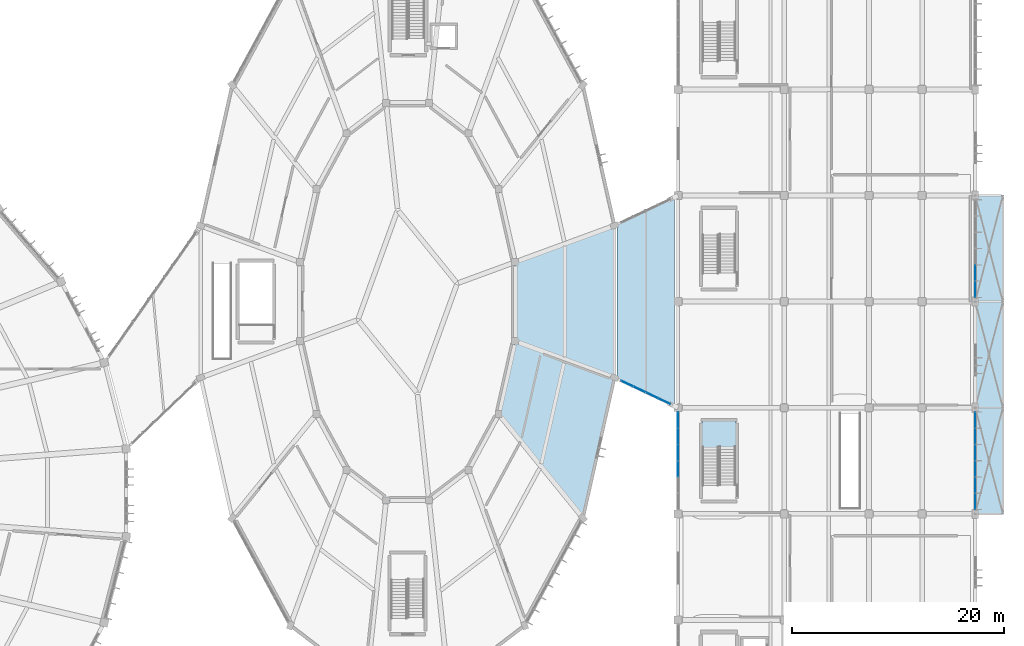
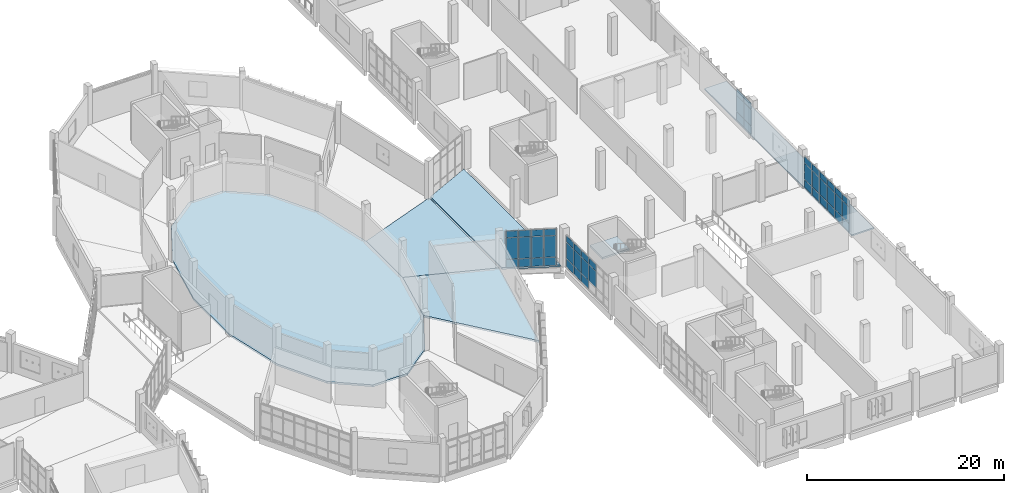
# One storey, part 102 of 179: 47 plates, 6 slabs, 5 elements without a shape of their own.
"""IFC4 building model written with IfcOpenShell, lengths in metres."""

from ifc_helpers import new_model, si_unit, direction, frame, origin, origin_2d, place, context, subcontext, project, spatial, polyline, rectangle, outline, extrude, material, layer, layer_set, type_object, element, aggregate, save


model = new_model("IFC4")

# Units and contexts
model_context = context("Model", 3, precision=1e-05, world=origin(), true_north=direction((0.0, 1.0)))
body_context = subcontext(model_context, "Body", "Model", "MODEL_VIEW")
ifc_project = project(units=[si_unit("LENGTHUNIT", "METRE"), si_unit("AREAUNIT", "SQUARE_METRE"), si_unit("VOLUMEUNIT", "CUBIC_METRE"), si_unit("PLANEANGLEUNIT", "RADIAN"), si_unit("MASSUNIT", "GRAM", prefix="KILO")], contexts=[model_context])

# Site, building, storey
site_placement = place(None, origin())
site = spatial("IfcSite", under=ifc_project, at=site_placement, CompositionType="ELEMENT")
building_placement = place(site_placement, origin())
building = spatial("IfcBuilding", under=site, at=building_placement, Name="Corvandel Quay Wholesale Market", CompositionType="ELEMENT")
storey_placement = place(building_placement, frame((0.0, 0.0, 6.0)))
storey = spatial("IfcBuildingStorey", under=building, at=storey_placement, Name="L01", CompositionType="ELEMENT", Elevation=6.0)

# Curtain wall, plates
ifc_material_1 = material(Name="Bronze anodised aluminium and low-E insulated glazing", Category="aluminium")
ifc_layer_1 = layer(ifc_material_1, 0.162109375)
ifc_layer_set_1 = layer_set([ifc_layer_1], Name="Bronze anodised aluminium and low-E insulated glazing")
curtain_wall_type_1 = type_object("IfcCurtainWallType", Name="Stick Curtain Wall System CW16 H4440", PredefinedType="NOTDEFINED", material=ifc_layer_set_1)
curtain_wall_1_placement = place(storey_placement, origin())
curtain_wall_1 = element("IfcCurtainWall", 1, at=curtain_wall_1_placement, inside=storey, type_object=curtain_wall_type_1, Name="Curtain Wall CW-0151", PredefinedType="NOTDEFINED")
ifc_material_2 = material(Name="Solar-control low-E insulated glazing", Category="glass")
ifc_layer_2 = layer(ifc_material_2, 0.0400390625)
ifc_layer_set_2 = layer_set([ifc_layer_2], Name="Solar-control low-E insulated glazing")
plate_type_1 = type_object("IfcPlateType", Name="Ceramic Fritted Spandrel Panel PN03 40mm", PredefinedType="CURTAIN_PANEL", material=ifc_layer_set_2)
plate_1_placement = place(storey_placement, frame((248.0, 41.166748046875, 3.1298828125), z_axis=(0.0, 0.0, 1.0), x_axis=(0.0, 1.0, 0.0)))
plate_1 = element("IfcPlate", 2, at=plate_1_placement, type_object=plate_type_1, Name="Glazing Panel CW-0151-P00-2", PredefinedType="CURTAIN_PANEL", context=body_context, shape_type="SweptSolid", body=[
    extrude(rectangle(XDim=1.46826171875, YDim=0.0400390625, at=origin_2d()), origin(), (0.0, 0.0, 1.0), 0.7900390625),
])
plate_2_placement = place(storey_placement, frame((248.0, 42.699951171875, 3.1298828125), z_axis=(0.0, 0.0, 1.0), x_axis=(0.0, 1.0, 0.0)))
plate_2 = element("IfcPlate", 3, at=plate_2_placement, type_object=plate_type_1, Name="Glazing Panel CW-0151-P01-2", PredefinedType="CURTAIN_PANEL", context=body_context, shape_type="SweptSolid", body=[
    extrude(rectangle(XDim=1.46826171875, YDim=0.0400390625, at=origin_2d()), origin(), (0.0, 0.0, 1.0), 0.7900390625),
])
plate_3_placement = place(storey_placement, frame((248.0, 44.2333984375, 3.1298828125), z_axis=(0.0, 0.0, 1.0), x_axis=(0.0, 1.0, 0.0)))
plate_3 = element("IfcPlate", 4, at=plate_3_placement, type_object=plate_type_1, Name="Glazing Panel CW-0151-P02-2", PredefinedType="CURTAIN_PANEL", context=body_context, shape_type="SweptSolid", body=[
    extrude(rectangle(XDim=1.46826171875, YDim=0.0400390625, at=origin_2d()), origin(), (0.0, 0.0, 1.0), 0.7900390625),
])
plate_4_placement = place(storey_placement, frame((248.0, 45.7666015625, 3.1298828125), z_axis=(0.0, 0.0, 1.0), x_axis=(0.0, 1.0, 0.0)))
plate_4 = element("IfcPlate", 5, at=plate_4_placement, type_object=plate_type_1, Name="Glazing Panel CW-0151-P03-2", PredefinedType="CURTAIN_PANEL", context=body_context, shape_type="SweptSolid", body=[
    extrude(rectangle(XDim=1.46826171875, YDim=0.0400390625, at=origin_2d()), origin(), (0.0, 0.0, 1.0), 0.7900390625),
])
plate_5_placement = place(storey_placement, frame((248.0, 47.300048828125, 3.1298828125), z_axis=(0.0, 0.0, 1.0), x_axis=(0.0, 1.0, 0.0)))
plate_5 = element("IfcPlate", 6, at=plate_5_placement, type_object=plate_type_1, Name="Glazing Panel CW-0151-P04-2", PredefinedType="CURTAIN_PANEL", context=body_context, shape_type="SweptSolid", body=[
    extrude(rectangle(XDim=1.46826171875, YDim=0.0400390625, at=origin_2d()), origin(), (0.0, 0.0, 1.0), 0.7900390625),
])
plate_6_placement = place(storey_placement, frame((248.0, 48.833251953125, 3.1298828125), z_axis=(0.0, 0.0, 1.0), x_axis=(0.0, 1.0, 0.0)))
plate_6 = element("IfcPlate", 7, at=plate_6_placement, type_object=plate_type_1, Name="Glazing Panel CW-0151-P05-2", PredefinedType="CURTAIN_PANEL", context=body_context, shape_type="SweptSolid", body=[
    extrude(rectangle(XDim=1.46826171875, YDim=0.0400390625, at=origin_2d()), origin(), (0.0, 0.0, 1.0), 0.7900390625),
])

ifc_layer_3 = layer(ifc_material_1, 0.174072265625)
ifc_layer_set_3 = layer_set([ifc_layer_3], Name="Bronze anodised aluminium and low-E insulated glazing")
curtain_wall_type_2 = type_object("IfcCurtainWallType", Name="Stick Curtain Wall System CW22 H4980", PredefinedType="NOTDEFINED", material=ifc_layer_set_3)
curtain_wall_2_placement = place(storey_placement, origin())
curtain_wall_2 = element("IfcCurtainWall", 8, at=curtain_wall_2_placement, inside=storey, type_object=curtain_wall_type_2, Name="Curtain Wall CW-0152", PredefinedType="NOTDEFINED")
plate_7_placement = place(storey_placement, frame((220.0, 44.2333984375, 3.1298828125), z_axis=(0.0, 0.0, 1.0), x_axis=(0.0, 1.0, 0.0)))
plate_7 = element("IfcPlate", 9, at=plate_7_placement, type_object=plate_type_1, Name="Glazing Panel CW-0152-P02-2", PredefinedType="CURTAIN_PANEL", context=body_context, shape_type="SweptSolid", body=[
    extrude(rectangle(XDim=1.46826171875, YDim=0.0400390625, at=origin_2d()), origin(), (0.0, 0.0, 1.0), 0.7900390625),
])
plate_8_placement = place(storey_placement, frame((220.0, 45.7666015625, 3.1298828125), z_axis=(0.0, 0.0, 1.0), x_axis=(0.0, 1.0, 0.0)))
plate_8 = element("IfcPlate", 10, at=plate_8_placement, type_object=plate_type_1, Name="Glazing Panel CW-0152-P03-2", PredefinedType="CURTAIN_PANEL", context=body_context, shape_type="SweptSolid", body=[
    extrude(rectangle(XDim=1.46826171875, YDim=0.0400390625, at=origin_2d()), origin(), (0.0, 0.0, 1.0), 0.7900390625),
])
plate_9_placement = place(storey_placement, frame((220.0, 47.300048828125, 3.1298828125), z_axis=(0.0, 0.0, 1.0), x_axis=(0.0, 1.0, 0.0)))
plate_9 = element("IfcPlate", 11, at=plate_9_placement, type_object=plate_type_1, Name="Glazing Panel CW-0152-P04-2", PredefinedType="CURTAIN_PANEL", context=body_context, shape_type="SweptSolid", body=[
    extrude(rectangle(XDim=1.46826171875, YDim=0.0400390625, at=origin_2d()), origin(), (0.0, 0.0, 1.0), 0.7900390625),
])
plate_10_placement = place(storey_placement, frame((220.0, 48.833251953125, 3.1298828125), z_axis=(0.0, 0.0, 1.0), x_axis=(0.0, 1.0, 0.0)))
plate_10 = element("IfcPlate", 12, at=plate_10_placement, type_object=plate_type_1, Name="Glazing Panel CW-0152-P05-2", PredefinedType="CURTAIN_PANEL", context=body_context, shape_type="SweptSolid", body=[
    extrude(rectangle(XDim=1.46826171875, YDim=0.0400390625, at=origin_2d()), origin(), (0.0, 0.0, 1.0), 0.7900390625),
])

ifc_layer_4 = layer(ifc_material_1, 0.18603515625)
ifc_layer_set_4 = layer_set([ifc_layer_4], Name="Bronze anodised aluminium and low-E insulated glazing")
curtain_wall_type_3 = type_object("IfcCurtainWallType", Name="Stick Curtain Wall System CW18 H4620", PredefinedType="NOTDEFINED", material=ifc_layer_set_4)
curtain_wall_3_placement = place(storey_placement, origin())
curtain_wall_3 = element("IfcCurtainWall", 13, at=curtain_wall_3_placement, inside=storey, type_object=curtain_wall_type_3, Name="Curtain Wall CW-0153", PredefinedType="NOTDEFINED")
plate_11_placement = place(storey_placement, frame((248.0, 61.166748046875, 3.1298828125), z_axis=(0.0, 0.0, 1.0), x_axis=(0.0, 1.0, 0.0)))
plate_11 = element("IfcPlate", 14, at=plate_11_placement, type_object=plate_type_1, Name="Glazing Panel CW-0153-P00-2", PredefinedType="CURTAIN_PANEL", context=body_context, shape_type="SweptSolid", body=[
    extrude(rectangle(XDim=1.46826171875, YDim=0.0400390625, at=origin_2d()), origin(), (0.0, 0.0, 1.0), 0.7900390625),
])
plate_12_placement = place(storey_placement, frame((248.0, 62.699951171875, 3.1298828125), z_axis=(0.0, 0.0, 1.0), x_axis=(0.0, 1.0, 0.0)))
plate_12 = element("IfcPlate", 15, at=plate_12_placement, type_object=plate_type_1, Name="Glazing Panel CW-0153-P01-2", PredefinedType="CURTAIN_PANEL", context=body_context, shape_type="SweptSolid", body=[
    extrude(rectangle(XDim=1.46826171875, YDim=0.0400390625, at=origin_2d()), origin(), (0.0, 0.0, 1.0), 0.7900390625),
])

ifc_layer_5 = layer(ifc_material_1, 0.18603515625)
ifc_layer_set_5 = layer_set([ifc_layer_5], Name="Bronze anodised aluminium and low-E insulated glazing")
curtain_wall_type_4 = type_object("IfcCurtainWallType", Name="Stick Curtain Wall System CW23 H5070", PredefinedType="NOTDEFINED", material=ifc_layer_set_5)
curtain_wall_4_placement = place(storey_placement, origin())
curtain_wall_4 = element("IfcCurtainWall", 16, at=curtain_wall_4_placement, inside=storey, type_object=curtain_wall_type_4, Name="Curtain Wall CW-0180", PredefinedType="NOTDEFINED")
plate_13_placement = place(storey_placement, frame((215.186767578125, 52.277587890625, 3.7275390625), z_axis=(0.0, 0.0, 1.0), x_axis=(-0.903933318548, 0.427673421689, 0.0)))
plate_13 = element("IfcPlate", 17, at=plate_13_placement, type_object=plate_type_1, Name="Glazing Panel CW-0180-P00-2", PredefinedType="CURTAIN_PANEL", context=body_context, shape_type="SweptSolid", body=[
    extrude(rectangle(XDim=1.235595703125, YDim=0.0400390625, at=origin_2d()), origin(), (0.0, 0.0, 1.0), 0.794921875),
])
plate_14_placement = place(storey_placement, frame((216.35791015625, 51.723388671875, 3.7275390625), z_axis=(0.0, 0.0, 1.0), x_axis=(-0.903933318548, 0.427673421689, 0.0)))
plate_14 = element("IfcPlate", 18, at=plate_14_placement, type_object=plate_type_1, Name="Glazing Panel CW-0180-P01-2", PredefinedType="CURTAIN_PANEL", context=body_context, shape_type="SweptSolid", body=[
    extrude(rectangle(XDim=1.235595703125, YDim=0.0400390625, at=origin_2d()), origin(), (0.0, 0.0, 1.0), 0.794921875),
])
plate_15_placement = place(storey_placement, frame((217.529052734375, 51.169189453125, 3.7275390625), z_axis=(0.0, 0.0, 1.0), x_axis=(-0.903933318548, 0.427673421689, 0.0)))
plate_15 = element("IfcPlate", 19, at=plate_15_placement, type_object=plate_type_1, Name="Glazing Panel CW-0180-P02-2", PredefinedType="CURTAIN_PANEL", context=body_context, shape_type="SweptSolid", body=[
    extrude(rectangle(XDim=1.235595703125, YDim=0.0400390625, at=origin_2d()), origin(), (0.0, 0.0, 1.0), 0.794921875),
])
plate_16_placement = place(storey_placement, frame((218.7001953125, 50.614990234375, 3.7275390625), z_axis=(0.0, 0.0, 1.0), x_axis=(-0.903933318548, 0.427673421689, 0.0)))
plate_16 = element("IfcPlate", 20, at=plate_16_placement, type_object=plate_type_1, Name="Glazing Panel CW-0180-P03-2", PredefinedType="CURTAIN_PANEL", context=body_context, shape_type="SweptSolid", body=[
    extrude(rectangle(XDim=1.235595703125, YDim=0.0400390625, at=origin_2d()), origin(), (0.0, 0.0, 1.0), 0.794921875),
])

# Slabs
ifc_material_3 = material(Name="Precast concrete C45/55", Category="concrete")
ifc_layer_6 = layer(ifc_material_3, 0.219970703125)
ifc_layer_set_6 = layer_set([ifc_layer_6], Name="Precast concrete C45/55")
slab_type_1 = type_object("IfcSlabType", Name="Composite Precast Office Floor Slab 220", PredefinedType="FLOOR", material=ifc_layer_set_6)
slab_1_placement = place(storey_placement, frame((0.0, 0.0, -0.219970703125)))
element("IfcSlab", 21, at=slab_1_placement, inside=storey, type_object=slab_type_1, Name="Slab SLB-0484", PredefinedType="FLOOR", context=body_context, shape_type="SweptSolid", body=[
    extrude(outline(polyline([(214.239013671875, 52.72607421875), (219.64794921875, 50.1669921875), (219.64794921875, 69.8330078125), (214.239013671875, 67.27392578125), (214.239013671875, 52.72607421875)])), origin(), (0.0, 0.0, 1.0), 0.219970703125),
])
ifc_material_4 = material(Name="Concrete C40/50", Category="concrete")
ifc_layer_7 = layer(ifc_material_4, 0.239990234375)
ifc_layer_set_7 = layer_set([ifc_layer_7], Name="Concrete C40/50")
slab_type_2 = type_object("IfcSlabType", Name="Composite Raked Auction Tier Slab 240", PredefinedType="FLOOR", material=ifc_layer_set_7)
slab_2_placement = place(storey_placement, frame((0.0, 0.0, -0.239990234375)))
element("IfcSlab", 22, at=slab_2_placement, inside=storey, type_object=slab_type_2, Name="Slab SLB-0382", PredefinedType="FLOOR", context=body_context, shape_type="SweptSolid", body=[
    extrude(outline(polyline([(204.639892578125, 56.27587890625), (203.095947265625, 49.39599609375), (200.243896484375, 44.1298828125), (196.51708984375, 41.280029296875), (192.48291015625, 41.280029296875), (188.756103515625, 44.1298828125), (185.904052734375, 49.39599609375), (184.360107421875, 56.27587890625), (184.360107421875, 63.72412109375), (185.904052734375, 70.60400390625), (188.756103515625, 75.8701171875), (192.48291015625, 78.719970703125), (196.51708984375, 78.719970703125), (200.243896484375, 75.8701171875), (203.095947265625, 70.60400390625), (204.639892578125, 63.72412109375), (204.639892578125, 56.27587890625)])), origin(), (0.0, 0.0, 1.0), 0.239990234375),
])
slab_3_placement = place(storey_placement, frame((0.0, 0.0, -0.239990234375)))
element("IfcSlab", 23, at=slab_3_placement, inside=storey, type_object=slab_type_2, Name="Slab SLB-0440", PredefinedType="FLOOR", context=body_context, shape_type="SweptSolid", body=[
    extrude(outline(polyline([(203.095947265625, 49.39599609375), (204.639892578125, 56.27587890625), (214.0, 52.839111328125), (211.031005859375, 39.60791015625), (203.095947265625, 49.39599609375)])), origin(), (0.0, 0.0, 1.0), 0.239990234375),
])
slab_4_placement = place(storey_placement, frame((0.0, 0.0, -0.239990234375)))
element("IfcSlab", 24, at=slab_4_placement, inside=storey, type_object=slab_type_2, Name="Slab SLB-0444", PredefinedType="FLOOR", context=body_context, shape_type="SweptSolid", body=[
    extrude(outline(polyline([(204.639892578125, 56.27587890625), (204.639892578125, 63.72412109375), (214.0, 67.160888671875), (214.0, 52.839111328125), (204.639892578125, 56.27587890625)])), origin(), (0.0, 0.0, 1.0), 0.239990234375),
])

# Plate
ifc_layer_8 = layer(ifc_material_2, 0.028076171875)
ifc_layer_set_8 = layer_set([ifc_layer_8], Name="Solar-control low-E insulated glazing")
plate_type_2 = type_object("IfcPlateType", Name="Double Low-E Vision Panel PN01 28mm", PredefinedType="CURTAIN_PANEL", material=ifc_layer_set_8)
plate_17_placement = place(storey_placement, frame((248.0, 41.166748046875, 0.02978515625), z_axis=(0.0, 0.0, 1.0), x_axis=(0.0, 1.0, 0.0)))
plate_17 = element("IfcPlate", 25, at=plate_17_placement, type_object=plate_type_2, Name="Glazing Panel CW-0151-P00-0", PredefinedType="CURTAIN_PANEL", context=body_context, shape_type="SweptSolid", body=[
    extrude(rectangle(XDim=1.46826171875, YDim=0.028076171875, at=origin_2d()), origin(), (0.0, 0.0, 1.0), 0.989990234375),
])

plate_18_placement = place(storey_placement, frame((248.0, 41.166748046875, 1.080078125), z_axis=(0.0, 0.0, 1.0), x_axis=(0.0, 1.0, 0.0)))
plate_18 = element("IfcPlate", 26, at=plate_18_placement, type_object=plate_type_2, Name="Glazing Panel CW-0151-P00-1", PredefinedType="CURTAIN_PANEL", context=body_context, shape_type="SweptSolid", body=[
    extrude(rectangle(XDim=1.46826171875, YDim=0.028076171875, at=origin_2d()), origin(), (0.0, 0.0, 1.0), 1.989990234375),
])

plate_19_placement = place(storey_placement, frame((248.0, 42.699951171875, 0.02978515625), z_axis=(0.0, 0.0, 1.0), x_axis=(0.0, 1.0, 0.0)))
plate_19 = element("IfcPlate", 27, at=plate_19_placement, type_object=plate_type_2, Name="Glazing Panel CW-0151-P01-0", PredefinedType="CURTAIN_PANEL", context=body_context, shape_type="SweptSolid", body=[
    extrude(rectangle(XDim=1.46826171875, YDim=0.028076171875, at=origin_2d()), origin(), (0.0, 0.0, 1.0), 0.989990234375),
])

plate_20_placement = place(storey_placement, frame((248.0, 42.699951171875, 1.080078125), z_axis=(0.0, 0.0, 1.0), x_axis=(0.0, 1.0, 0.0)))
plate_20 = element("IfcPlate", 28, at=plate_20_placement, type_object=plate_type_2, Name="Glazing Panel CW-0151-P01-1", PredefinedType="CURTAIN_PANEL", context=body_context, shape_type="SweptSolid", body=[
    extrude(rectangle(XDim=1.46826171875, YDim=0.028076171875, at=origin_2d()), origin(), (0.0, 0.0, 1.0), 1.989990234375),
])

plate_21_placement = place(storey_placement, frame((248.0, 44.2333984375, 0.02978515625), z_axis=(0.0, 0.0, 1.0), x_axis=(0.0, 1.0, 0.0)))
plate_21 = element("IfcPlate", 29, at=plate_21_placement, type_object=plate_type_2, Name="Glazing Panel CW-0151-P02-0", PredefinedType="CURTAIN_PANEL", context=body_context, shape_type="SweptSolid", body=[
    extrude(rectangle(XDim=1.46826171875, YDim=0.028076171875, at=origin_2d()), origin(), (0.0, 0.0, 1.0), 0.989990234375),
])

plate_22_placement = place(storey_placement, frame((248.0, 44.2333984375, 1.080078125), z_axis=(0.0, 0.0, 1.0), x_axis=(0.0, 1.0, 0.0)))
plate_22 = element("IfcPlate", 30, at=plate_22_placement, type_object=plate_type_2, Name="Glazing Panel CW-0151-P02-1", PredefinedType="CURTAIN_PANEL", context=body_context, shape_type="SweptSolid", body=[
    extrude(rectangle(XDim=1.46826171875, YDim=0.028076171875, at=origin_2d()), origin(), (0.0, 0.0, 1.0), 1.989990234375),
])

plate_23_placement = place(storey_placement, frame((248.0, 45.7666015625, 0.02978515625), z_axis=(0.0, 0.0, 1.0), x_axis=(0.0, 1.0, 0.0)))
plate_23 = element("IfcPlate", 31, at=plate_23_placement, type_object=plate_type_2, Name="Glazing Panel CW-0151-P03-0", PredefinedType="CURTAIN_PANEL", context=body_context, shape_type="SweptSolid", body=[
    extrude(rectangle(XDim=1.46826171875, YDim=0.028076171875, at=origin_2d()), origin(), (0.0, 0.0, 1.0), 0.989990234375),
])

plate_24_placement = place(storey_placement, frame((248.0, 45.7666015625, 1.080078125), z_axis=(0.0, 0.0, 1.0), x_axis=(0.0, 1.0, 0.0)))
plate_24 = element("IfcPlate", 32, at=plate_24_placement, type_object=plate_type_2, Name="Glazing Panel CW-0151-P03-1", PredefinedType="CURTAIN_PANEL", context=body_context, shape_type="SweptSolid", body=[
    extrude(rectangle(XDim=1.46826171875, YDim=0.028076171875, at=origin_2d()), origin(), (0.0, 0.0, 1.0), 1.989990234375),
])

plate_25_placement = place(storey_placement, frame((248.0, 47.300048828125, 0.02978515625), z_axis=(0.0, 0.0, 1.0), x_axis=(0.0, 1.0, 0.0)))
plate_25 = element("IfcPlate", 33, at=plate_25_placement, type_object=plate_type_2, Name="Glazing Panel CW-0151-P04-0", PredefinedType="CURTAIN_PANEL", context=body_context, shape_type="SweptSolid", body=[
    extrude(rectangle(XDim=1.46826171875, YDim=0.028076171875, at=origin_2d()), origin(), (0.0, 0.0, 1.0), 0.989990234375),
])

plate_26_placement = place(storey_placement, frame((248.0, 47.300048828125, 1.080078125), z_axis=(0.0, 0.0, 1.0), x_axis=(0.0, 1.0, 0.0)))
plate_26 = element("IfcPlate", 34, at=plate_26_placement, type_object=plate_type_2, Name="Glazing Panel CW-0151-P04-1", PredefinedType="CURTAIN_PANEL", context=body_context, shape_type="SweptSolid", body=[
    extrude(rectangle(XDim=1.46826171875, YDim=0.028076171875, at=origin_2d()), origin(), (0.0, 0.0, 1.0), 1.989990234375),
])

plate_27_placement = place(storey_placement, frame((248.0, 48.833251953125, 0.02978515625), z_axis=(0.0, 0.0, 1.0), x_axis=(0.0, 1.0, 0.0)))
plate_27 = element("IfcPlate", 35, at=plate_27_placement, type_object=plate_type_2, Name="Glazing Panel CW-0151-P05-0", PredefinedType="CURTAIN_PANEL", context=body_context, shape_type="SweptSolid", body=[
    extrude(rectangle(XDim=1.46826171875, YDim=0.028076171875, at=origin_2d()), origin(), (0.0, 0.0, 1.0), 0.989990234375),
])

plate_28_placement = place(storey_placement, frame((248.0, 48.833251953125, 1.080078125), z_axis=(0.0, 0.0, 1.0), x_axis=(0.0, 1.0, 0.0)))
plate_28 = element("IfcPlate", 36, at=plate_28_placement, type_object=plate_type_2, Name="Glazing Panel CW-0151-P05-1", PredefinedType="CURTAIN_PANEL", context=body_context, shape_type="SweptSolid", body=[
    extrude(rectangle(XDim=1.46826171875, YDim=0.028076171875, at=origin_2d()), origin(), (0.0, 0.0, 1.0), 1.989990234375),
])

aggregate(curtain_wall_1, [plate_17, plate_18, plate_1, plate_19, plate_20, plate_2, plate_21, plate_22, plate_3, plate_23, plate_24, plate_4, plate_25, plate_26, plate_5, plate_27, plate_28, plate_6])

plate_29_placement = place(storey_placement, frame((220.0, 44.2333984375, 1.080078125), z_axis=(0.0, 0.0, 1.0), x_axis=(0.0, 1.0, 0.0)))
plate_29 = element("IfcPlate", 37, at=plate_29_placement, type_object=plate_type_2, Name="Glazing Panel CW-0152-P02-1", PredefinedType="CURTAIN_PANEL", context=body_context, shape_type="SweptSolid", body=[
    extrude(rectangle(XDim=1.46826171875, YDim=0.028076171875, at=origin_2d()), origin(), (0.0, 0.0, 1.0), 1.989990234375),
])

plate_30_placement = place(storey_placement, frame((220.0, 45.7666015625, 0.02978515625), z_axis=(0.0, 0.0, 1.0), x_axis=(0.0, 1.0, 0.0)))
plate_30 = element("IfcPlate", 38, at=plate_30_placement, type_object=plate_type_2, Name="Glazing Panel CW-0152-P03-0", PredefinedType="CURTAIN_PANEL", context=body_context, shape_type="SweptSolid", body=[
    extrude(rectangle(XDim=1.46826171875, YDim=0.028076171875, at=origin_2d()), origin(), (0.0, 0.0, 1.0), 0.989990234375),
])

plate_31_placement = place(storey_placement, frame((220.0, 45.7666015625, 1.080078125), z_axis=(0.0, 0.0, 1.0), x_axis=(0.0, 1.0, 0.0)))
plate_31 = element("IfcPlate", 39, at=plate_31_placement, type_object=plate_type_2, Name="Glazing Panel CW-0152-P03-1", PredefinedType="CURTAIN_PANEL", context=body_context, shape_type="SweptSolid", body=[
    extrude(rectangle(XDim=1.46826171875, YDim=0.028076171875, at=origin_2d()), origin(), (0.0, 0.0, 1.0), 1.989990234375),
])

plate_32_placement = place(storey_placement, frame((220.0, 47.300048828125, 0.02978515625), z_axis=(0.0, 0.0, 1.0), x_axis=(0.0, 1.0, 0.0)))
plate_32 = element("IfcPlate", 40, at=plate_32_placement, type_object=plate_type_2, Name="Glazing Panel CW-0152-P04-0", PredefinedType="CURTAIN_PANEL", context=body_context, shape_type="SweptSolid", body=[
    extrude(rectangle(XDim=1.46826171875, YDim=0.028076171875, at=origin_2d()), origin(), (0.0, 0.0, 1.0), 0.989990234375),
])

plate_33_placement = place(storey_placement, frame((220.0, 47.300048828125, 1.080078125), z_axis=(0.0, 0.0, 1.0), x_axis=(0.0, 1.0, 0.0)))
plate_33 = element("IfcPlate", 41, at=plate_33_placement, type_object=plate_type_2, Name="Glazing Panel CW-0152-P04-1", PredefinedType="CURTAIN_PANEL", context=body_context, shape_type="SweptSolid", body=[
    extrude(rectangle(XDim=1.46826171875, YDim=0.028076171875, at=origin_2d()), origin(), (0.0, 0.0, 1.0), 1.989990234375),
])

plate_34_placement = place(storey_placement, frame((220.0, 48.833251953125, 0.02978515625), z_axis=(0.0, 0.0, 1.0), x_axis=(0.0, 1.0, 0.0)))
plate_34 = element("IfcPlate", 42, at=plate_34_placement, type_object=plate_type_2, Name="Glazing Panel CW-0152-P05-0", PredefinedType="CURTAIN_PANEL", context=body_context, shape_type="SweptSolid", body=[
    extrude(rectangle(XDim=1.46826171875, YDim=0.028076171875, at=origin_2d()), origin(), (0.0, 0.0, 1.0), 0.989990234375),
])

plate_35_placement = place(storey_placement, frame((220.0, 48.833251953125, 1.080078125), z_axis=(0.0, 0.0, 1.0), x_axis=(0.0, 1.0, 0.0)))
plate_35 = element("IfcPlate", 43, at=plate_35_placement, type_object=plate_type_2, Name="Glazing Panel CW-0152-P05-1", PredefinedType="CURTAIN_PANEL", context=body_context, shape_type="SweptSolid", body=[
    extrude(rectangle(XDim=1.46826171875, YDim=0.028076171875, at=origin_2d()), origin(), (0.0, 0.0, 1.0), 1.989990234375),
])

aggregate(curtain_wall_2, [plate_29, plate_7, plate_30, plate_31, plate_8, plate_32, plate_33, plate_9, plate_34, plate_35, plate_10])

plate_36_placement = place(storey_placement, frame((248.0, 61.166748046875, 0.02978515625), z_axis=(0.0, 0.0, 1.0), x_axis=(0.0, 1.0, 0.0)))
plate_36 = element("IfcPlate", 44, at=plate_36_placement, type_object=plate_type_2, Name="Glazing Panel CW-0153-P00-0", PredefinedType="CURTAIN_PANEL", context=body_context, shape_type="SweptSolid", body=[
    extrude(rectangle(XDim=1.46826171875, YDim=0.028076171875, at=origin_2d()), origin(), (0.0, 0.0, 1.0), 0.989990234375),
])

plate_37_placement = place(storey_placement, frame((248.0, 61.166748046875, 1.080078125), z_axis=(0.0, 0.0, 1.0), x_axis=(0.0, 1.0, 0.0)))
plate_37 = element("IfcPlate", 45, at=plate_37_placement, type_object=plate_type_2, Name="Glazing Panel CW-0153-P00-1", PredefinedType="CURTAIN_PANEL", context=body_context, shape_type="SweptSolid", body=[
    extrude(rectangle(XDim=1.46826171875, YDim=0.028076171875, at=origin_2d()), origin(), (0.0, 0.0, 1.0), 1.989990234375),
])

plate_38_placement = place(storey_placement, frame((248.0, 62.699951171875, 0.02978515625), z_axis=(0.0, 0.0, 1.0), x_axis=(0.0, 1.0, 0.0)))
plate_38 = element("IfcPlate", 46, at=plate_38_placement, type_object=plate_type_2, Name="Glazing Panel CW-0153-P01-0", PredefinedType="CURTAIN_PANEL", context=body_context, shape_type="SweptSolid", body=[
    extrude(rectangle(XDim=1.46826171875, YDim=0.028076171875, at=origin_2d()), origin(), (0.0, 0.0, 1.0), 0.989990234375),
])

plate_39_placement = place(storey_placement, frame((248.0, 62.699951171875, 1.080078125), z_axis=(0.0, 0.0, 1.0), x_axis=(0.0, 1.0, 0.0)))
plate_39 = element("IfcPlate", 47, at=plate_39_placement, type_object=plate_type_2, Name="Glazing Panel CW-0153-P01-1", PredefinedType="CURTAIN_PANEL", context=body_context, shape_type="SweptSolid", body=[
    extrude(rectangle(XDim=1.46826171875, YDim=0.028076171875, at=origin_2d()), origin(), (0.0, 0.0, 1.0), 1.989990234375),
])

aggregate(curtain_wall_3, [plate_36, plate_37, plate_11, plate_38, plate_39, plate_12])

plate_40_placement = place(storey_placement, frame((215.186767578125, 52.277587890625, -0.00244140625), z_axis=(0.0, 0.0, 1.0), x_axis=(-0.903933318548, 0.427673421689, 0.0)))
plate_40 = element("IfcPlate", 48, at=plate_40_placement, type_object=plate_type_2, Name="Glazing Panel CW-0180-P00-0", PredefinedType="CURTAIN_PANEL", context=body_context, shape_type="SweptSolid", body=[
    extrude(rectangle(XDim=1.235595703125, YDim=0.028076171875, at=origin_2d()), origin(), (0.0, 0.0, 1.0), 0.9951171875),
])

plate_41_placement = place(storey_placement, frame((215.186767578125, 52.277587890625, 1.047607421875), z_axis=(0.0, 0.0, 1.0), x_axis=(-0.903933318548, 0.427673421689, 0.0)))
plate_41 = element("IfcPlate", 49, at=plate_41_placement, type_object=plate_type_2, Name="Glazing Panel CW-0180-P00-1", PredefinedType="CURTAIN_PANEL", context=body_context, shape_type="SweptSolid", body=[
    extrude(rectangle(XDim=1.235595703125, YDim=0.028076171875, at=origin_2d()), origin(), (0.0, 0.0, 1.0), 2.625),
])

plate_42_placement = place(storey_placement, frame((216.35791015625, 51.723388671875, -0.00244140625), z_axis=(0.0, 0.0, 1.0), x_axis=(-0.903933318548, 0.427673421689, 0.0)))
plate_42 = element("IfcPlate", 50, at=plate_42_placement, type_object=plate_type_2, Name="Glazing Panel CW-0180-P01-0", PredefinedType="CURTAIN_PANEL", context=body_context, shape_type="SweptSolid", body=[
    extrude(rectangle(XDim=1.235595703125, YDim=0.028076171875, at=origin_2d()), origin(), (0.0, 0.0, 1.0), 0.9951171875),
])

plate_43_placement = place(storey_placement, frame((216.35791015625, 51.723388671875, 1.047607421875), z_axis=(0.0, 0.0, 1.0), x_axis=(-0.903933318548, 0.427673421689, 0.0)))
plate_43 = element("IfcPlate", 51, at=plate_43_placement, type_object=plate_type_2, Name="Glazing Panel CW-0180-P01-1", PredefinedType="CURTAIN_PANEL", context=body_context, shape_type="SweptSolid", body=[
    extrude(rectangle(XDim=1.235595703125, YDim=0.028076171875, at=origin_2d()), origin(), (0.0, 0.0, 1.0), 2.625),
])

plate_44_placement = place(storey_placement, frame((217.529052734375, 51.169189453125, -0.00244140625), z_axis=(0.0, 0.0, 1.0), x_axis=(-0.903933318548, 0.427673421689, 0.0)))
plate_44 = element("IfcPlate", 52, at=plate_44_placement, type_object=plate_type_2, Name="Glazing Panel CW-0180-P02-0", PredefinedType="CURTAIN_PANEL", context=body_context, shape_type="SweptSolid", body=[
    extrude(rectangle(XDim=1.235595703125, YDim=0.028076171875, at=origin_2d()), origin(), (0.0, 0.0, 1.0), 0.9951171875),
])

plate_45_placement = place(storey_placement, frame((217.529052734375, 51.169189453125, 1.047607421875), z_axis=(0.0, 0.0, 1.0), x_axis=(-0.903933318548, 0.427673421689, 0.0)))
plate_45 = element("IfcPlate", 53, at=plate_45_placement, type_object=plate_type_2, Name="Glazing Panel CW-0180-P02-1", PredefinedType="CURTAIN_PANEL", context=body_context, shape_type="SweptSolid", body=[
    extrude(rectangle(XDim=1.235595703125, YDim=0.028076171875, at=origin_2d()), origin(), (0.0, 0.0, 1.0), 2.625),
])

plate_46_placement = place(storey_placement, frame((218.7001953125, 50.614990234375, -0.00244140625), z_axis=(0.0, 0.0, 1.0), x_axis=(-0.903933318548, 0.427673421689, 0.0)))
plate_46 = element("IfcPlate", 54, at=plate_46_placement, type_object=plate_type_2, Name="Glazing Panel CW-0180-P03-0", PredefinedType="CURTAIN_PANEL", context=body_context, shape_type="SweptSolid", body=[
    extrude(rectangle(XDim=1.235595703125, YDim=0.028076171875, at=origin_2d()), origin(), (0.0, 0.0, 1.0), 0.9951171875),
])

plate_47_placement = place(storey_placement, frame((218.7001953125, 50.614990234375, 1.047607421875), z_axis=(0.0, 0.0, 1.0), x_axis=(-0.903933318548, 0.427673421689, 0.0)))
plate_47 = element("IfcPlate", 55, at=plate_47_placement, type_object=plate_type_2, Name="Glazing Panel CW-0180-P03-1", PredefinedType="CURTAIN_PANEL", context=body_context, shape_type="SweptSolid", body=[
    extrude(rectangle(XDim=1.235595703125, YDim=0.028076171875, at=origin_2d()), origin(), (0.0, 0.0, 1.0), 2.625),
])

aggregate(curtain_wall_4, [plate_40, plate_41, plate_13, plate_42, plate_43, plate_14, plate_44, plate_45, plate_15, plate_46, plate_47, plate_16])

# Slab
ifc_layer_9 = layer(ifc_material_4, 0.159912109375)
ifc_layer_set_9 = layer_set([ifc_layer_9], Name="Concrete C40/50")
slab_type_3 = type_object("IfcSlabType", Name="Pitched Pavilion Roof Deck 160", PredefinedType="ROOF", material=ifc_layer_set_9)
slab_5_placement = place(storey_placement, frame((0.0, 0.0, -0.199951171875)))
element("IfcSlab", 56, at=slab_5_placement, inside=storey, type_object=slab_type_3, Name="Slab SLB-0474", PredefinedType="ROOF", context=body_context, shape_type="SweptSolid", body=[
    extrude(outline(polyline([(248.0, 40.0), (250.60009765625, 40.0), (250.60009765625, 70.0), (248.0, 70.0), (248.0, 40.0)])), origin(), (0.0, 0.0, 1.0), 0.159912109375),
])

# Stair, slab
stair_type = type_object("IfcStairType", Name="Exit Stair Two-Return L01-L02 ST02", PredefinedType="USERDEFINED", material=ifc_material_4)
stair_placement = place(storey_placement, origin())
stair = element("IfcStair", 57, at=stair_placement, inside=storey, type_object=stair_type, Name="Exit Stair STR-030", ObjectType="TWO_RETURN_STAIR", PredefinedType="USERDEFINED")
ifc_layer_10 = layer(ifc_material_4, 0.219970703125)
ifc_layer_set_10 = layer_set([ifc_layer_10], Name="Concrete C40/50")
slab_type_4 = type_object("IfcSlabType", Name="Precast Stair Landing LND02 220", PredefinedType="LANDING", material=ifc_layer_set_10)
slab_6_placement = place(storey_placement, frame((0.0, 0.0, 2.179931640625)))
slab_6 = element("IfcSlab", 58, at=slab_6_placement, type_object=slab_type_4, Name="Stair Landing STR-030-LND", PredefinedType="LANDING", context=body_context, shape_type="SweptSolid", body=[
    extrude(outline(polyline([(222.260009765625, 46.18994140625), (225.43994140625, 46.18994140625), (225.43994140625, 48.739990234375), (222.260009765625, 48.739990234375), (222.260009765625, 46.18994140625)])), origin(), (0.0, 0.0, 1.0), 0.219970703125),
])
aggregate(stair, [slab_6])

save(model, "model.ifc")
